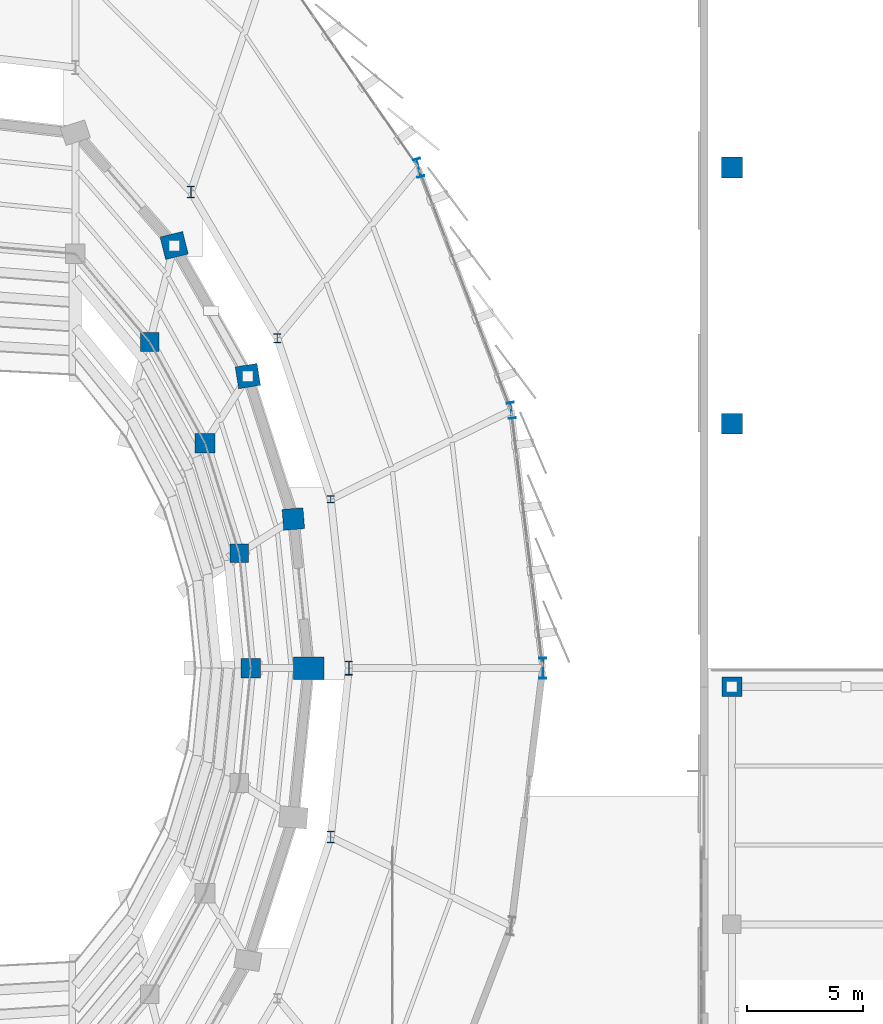
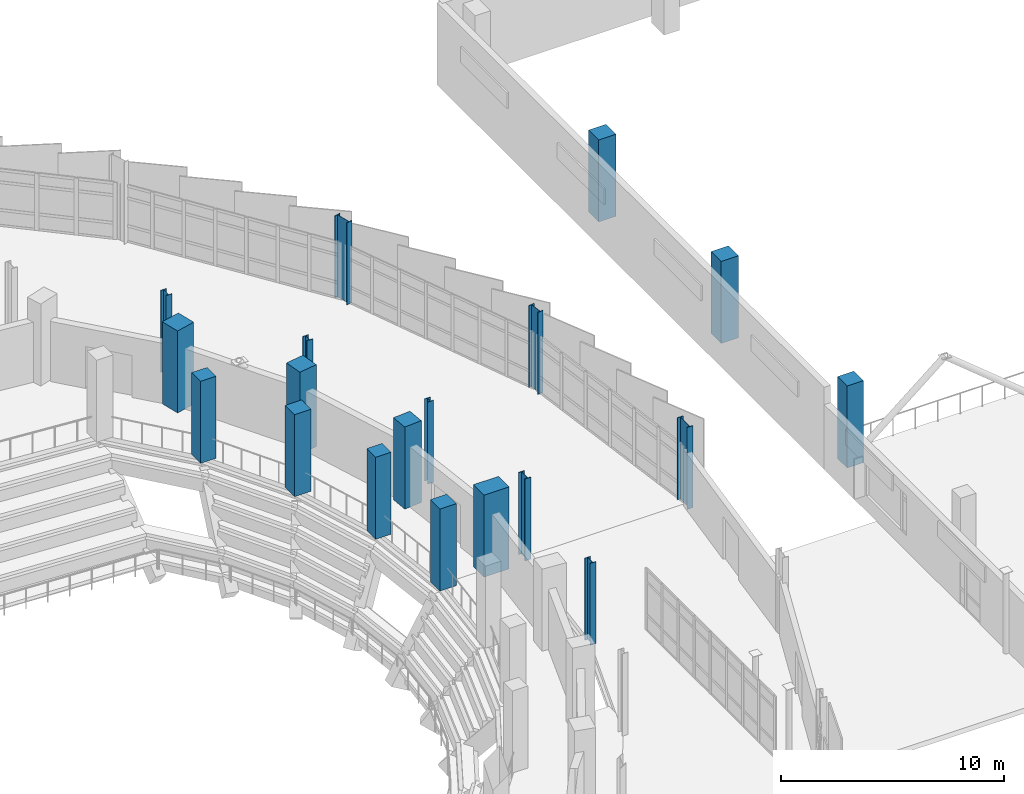
# One storey, part 21 of 134: 19 columns.
"""IFC4 building model written with IfcOpenShell, lengths in metres."""

from ifc_helpers import new_model, si_unit, direction, frame, origin, origin_2d, place, context, subcontext, project, spatial, rectangle, i_section, extrude, material, material_profile, profile_set, type_object, element, save


model = new_model("IFC4")

# Units and contexts
model_context = context("Model", 3, precision=1e-05, world=origin(), true_north=direction((0.0, 1.0)))
body_context = subcontext(model_context, "Body", "Model", "MODEL_VIEW")
ifc_project = project(units=[si_unit("LENGTHUNIT", "METRE"), si_unit("AREAUNIT", "SQUARE_METRE"), si_unit("VOLUMEUNIT", "CUBIC_METRE"), si_unit("PLANEANGLEUNIT", "RADIAN"), si_unit("MASSUNIT", "GRAM", prefix="KILO")], contexts=[model_context])

# Site, building, storey
site_placement = place(None, origin())
site = spatial("IfcSite", under=ifc_project, at=site_placement, CompositionType="ELEMENT")
building_placement = place(site_placement, origin())
building = spatial("IfcBuilding", under=site, at=building_placement, Name="Sohan Crest Arena", CompositionType="ELEMENT")
storey_placement = place(building_placement, frame((0.0, 0.0, 4.5)))
storey = spatial("IfcBuildingStorey", under=building, at=storey_placement, Name="L01", CompositionType="ELEMENT", Elevation=4.5)

# Columns
ifc_material_1 = material(Name="Concrete C40/50", Category="concrete")
ifc_material_profile_1 = material_profile(ifc_material_1, rectangle(XDim=0.800048828125, YDim=0.800048828125, at=origin_2d()), Name="RC 800x800")
ifc_profile_set_1 = profile_set([ifc_material_profile_1], Name="Concrete C40/50")
column_type_1 = type_object("IfcColumnType", Name="STR-COL-C05", PredefinedType="COLUMN", material=ifc_profile_set_1)
for number, where, z_axis, x_axis, name in (
    (1, (175.037109375, 82.929931640625, 0.0), (0.0, 0.0, 1.0), (1.0, 0.0, 0.0), "Structural column COL-V1M-25-L01"),
    (2, (171.194091796875, 92.011962890625, 0.0), (0.0, 0.0, 1.0), (1.0, 0.0, 0.0), "Structural column COL-V1M-27-L01"),
):
    element("IfcColumn", number, at=place(storey_placement, frame(where, z_axis=z_axis, x_axis=x_axis)), inside=storey, type_object=column_type_1, Name=name, PredefinedType="COLUMN", context=body_context, shape_type="SweptSolid", body=[
        extrude(rectangle(XDim=0.800048828125, YDim=0.800048828125, at=origin_2d()), origin(), (0.0, 0.0, 1.0), 4.5),
    ])
ifc_material_profile_2 = material_profile(ifc_material_1, rectangle(XDim=0.85009765625, YDim=0.85009765625, at=origin_2d()), Name="RC 850x850")
ifc_profile_set_2 = profile_set([ifc_material_profile_2], Name="Concrete C40/50")
column_type_2 = type_object("IfcColumnType", Name="STR-COL-C06", PredefinedType="COLUMN", material=ifc_profile_set_2)
for number, where, z_axis, x_axis, name in (
    (3, (175.531982421875, 78.0, 0.0), (0.0, 0.0, 1.0), (1.0, 0.0, 0.0), "Structural column COL-V1M-24-L01"),
    (4, (173.571044921875, 87.6640625, 0.0), (0.0, 0.0, 1.0), (1.0, 0.0, 0.0), "Structural column COL-V1M-26-L01"),
    (5, (196.199951171875, 77.199951171875, 0.0), (0.0, 0.0, 1.0), (1.0, 0.0, 0.0), "Structural column COL-V4S-14-L01"),
):
    element("IfcColumn", number, at=place(storey_placement, frame(where, z_axis=z_axis, x_axis=x_axis)), inside=storey, type_object=column_type_2, Name=name, PredefinedType="COLUMN", context=body_context, shape_type="SweptSolid", body=[
        extrude(rectangle(XDim=0.85009765625, YDim=0.85009765625, at=origin_2d()), origin(), (0.0, 0.0, 1.0), 4.5),
    ])
ifc_material_profile_3 = material_profile(ifc_material_1, rectangle(XDim=0.89990234375, YDim=0.89990234375, at=origin_2d()), Name="RC 900x900")
ifc_profile_set_3 = profile_set([ifc_material_profile_3], Name="Concrete C40/50")
column_type_3 = type_object("IfcColumnType", Name="STR-COL-C07", PredefinedType="COLUMN", material=ifc_profile_set_3)
for number, where, z_axis, x_axis, name in (
    (6, (177.363037109375, 84.406982421875, 0.0), (0.0, 0.0, 1.0), (0.996778878456, 0.080198924329, 0.0), "Structural column COL-V1R-25-L01"),
    (7, (196.199951171875, 88.5, 0.0), (0.0, 0.0, 1.0), (1.0, 0.0, 0.0), "Structural column COL-V4G-W1-L01"),
    (8, (196.199951171875, 99.5, 0.0), (0.0, 0.0, 1.0), (1.0, 0.0, 0.0), "Structural column COL-V4G-W2-L01"),
):
    element("IfcColumn", number, at=place(storey_placement, frame(where, z_axis=z_axis, x_axis=x_axis)), inside=storey, type_object=column_type_3, Name=name, PredefinedType="COLUMN", context=body_context, shape_type="SweptSolid", body=[
        extrude(rectangle(XDim=0.89990234375, YDim=0.89990234375, at=origin_2d()), origin(), (0.0, 0.0, 1.0), 4.5),
    ])
ifc_material_profile_4 = material_profile(ifc_material_1, rectangle(XDim=0.949951171875, YDim=0.949951171875, at=origin_2d()), Name="RC 950x950")
ifc_profile_set_4 = profile_set([ifc_material_profile_4], Name="Concrete C40/50")
column_type_4 = type_object("IfcColumnType", Name="STR-COL-C08", PredefinedType="COLUMN", material=ifc_profile_set_4)
column_1_placement = place(storey_placement, frame((175.408935546875, 90.544921875, 0.0), z_axis=(0.0, 0.0, 1.0), x_axis=(0.987136265073, 0.159881187692, 0.0)))
element("IfcColumn", 9, at=column_1_placement, inside=storey, type_object=column_type_4, Name="Structural column COL-V1R-26-L01", PredefinedType="COLUMN", context=body_context, shape_type="SweptSolid", body=[
    extrude(rectangle(XDim=0.949951171875, YDim=0.949951171875, at=origin_2d()), origin(), (0.0, 0.0, 1.0), 4.5),
])
ifc_material_profile_5 = material_profile(ifc_material_1, rectangle(XDim=1.0, YDim=1.0, at=origin_2d()), Name="RC 1000x1000")
ifc_profile_set_5 = profile_set([ifc_material_profile_5], Name="Concrete C40/50")
column_type_5 = type_object("IfcColumnType", Name="STR-COL-C09", PredefinedType="COLUMN", material=ifc_profile_set_5)
column_2_placement = place(storey_placement, frame((172.242919921875, 96.154052734375, 0.0), z_axis=(0.0, 0.0, 1.0), x_axis=(0.971549119998, 0.236838146066, 0.0)))
element("IfcColumn", 10, at=column_2_placement, inside=storey, type_object=column_type_5, Name="Structural column COL-V1R-27-L01", PredefinedType="COLUMN", context=body_context, shape_type="SweptSolid", body=[
    extrude(rectangle(XDim=1.0, YDim=1.0, at=origin_2d()), origin(), (0.0, 0.0, 1.0), 4.5),
])
ifc_material_profile_6 = material_profile(ifc_material_1, rectangle(XDim=1.300048828125, YDim=0.949951171875, at=origin_2d()), Name="RC 1300x950")
ifc_profile_set_6 = profile_set([ifc_material_profile_6], Name="Concrete C40/50")
column_type_6 = type_object("IfcColumnType", Name="STR-COL-C12", PredefinedType="COLUMN", material=ifc_profile_set_6)
column_3_placement = place(storey_placement, frame((178.02294921875, 78.0, 0.0), z_axis=(0.0, 0.0, 1.0), x_axis=(1.0, 0.0, 0.0)))
element("IfcColumn", 11, at=column_3_placement, inside=storey, type_object=column_type_6, Name="Structural column COL-V1R-24-L01", PredefinedType="COLUMN", context=body_context, shape_type="SweptSolid", body=[
    extrude(rectangle(XDim=1.300048828125, YDim=0.949951171875, at=origin_2d()), origin(), (0.0, 0.0, 1.0), 4.5),
])
ifc_material_2 = material(Name="Steel S355", Category="steel")
ifc_material_profile_7 = material_profile(ifc_material_2, i_section(OverallWidth=0.300048828125, OverallDepth=0.300048828125, WebThickness=0.010986328125, FlangeThickness=0.01904296875, at=origin_2d()), Name="HEB 300")
ifc_profile_set_7 = profile_set([ifc_material_profile_7], Name="Steel S355")
column_type_7 = type_object("IfcColumnType", Name="STR-COL-C17", PredefinedType="COLUMN", material=ifc_profile_set_7)
column_4_placement = place(storey_placement, frame((178.971923828125, 85.251953125, 0.0), z_axis=(0.0, 0.0, 1.0), x_axis=(1.0, 0.0, 0.0)))
element("IfcColumn", 12, at=column_4_placement, inside=storey, type_object=column_type_7, Name="Structural column COL-V2I-25-L01", PredefinedType="COLUMN", context=body_context, shape_type="SweptSolid", body=[
    extrude(i_section(OverallWidth=0.300048828125, OverallDepth=0.300048828125, WebThickness=0.010986328125, FlangeThickness=0.01904296875, at=origin_2d()), origin(), (0.0, 0.0, 1.0), 4.5),
])
ifc_material_profile_8 = material_profile(ifc_material_2, i_section(OverallWidth=0.300048828125, OverallDepth=0.39990234375, WebThickness=0.013427734375, FlangeThickness=0.02392578125, at=origin_2d()), Name="HEB 400")
ifc_profile_set_8 = profile_set([ifc_material_profile_8], Name="Steel S355")
column_type_8 = type_object("IfcColumnType", Name="STR-COL-C18", PredefinedType="COLUMN", material=ifc_profile_set_8)
column_5_placement = place(storey_placement, frame((176.674072265625, 92.175048828125, 0.0), z_axis=(0.0, 0.0, 1.0), x_axis=(1.0, 0.0, 0.0)))
element("IfcColumn", 13, at=column_5_placement, inside=storey, type_object=column_type_8, Name="Structural column COL-V2I-26-L01", PredefinedType="COLUMN", context=body_context, shape_type="SweptSolid", body=[
    extrude(i_section(OverallWidth=0.300048828125, OverallDepth=0.39990234375, WebThickness=0.013427734375, FlangeThickness=0.02392578125, at=origin_2d()), origin(), (0.0, 0.0, 1.0), 4.5),
])
ifc_material_profile_9 = material_profile(ifc_material_2, i_section(OverallWidth=0.300048828125, OverallDepth=0.5, WebThickness=0.014404296875, FlangeThickness=0.028076171875, at=origin_2d()), Name="HEB 500")
ifc_profile_set_9 = profile_set([ifc_material_profile_9], Name="Steel S355")
column_type_9 = type_object("IfcColumnType", Name="STR-COL-C19", PredefinedType="COLUMN", material=ifc_profile_set_9)
for number, where, z_axis, x_axis, name in (
    (14, (178.971923828125, 70.748046875, 0.0), (0.0, 0.0, 1.0), (1.0, 0.0, 0.0), "Structural column COL-V2I-23-L01"),
    (15, (172.9609375, 98.452880859375, 0.0), (0.0, 0.0, 1.0), (1.0, 0.0, 0.0), "Structural column COL-V2I-27-L01"),
):
    element("IfcColumn", number, at=place(storey_placement, frame(where, z_axis=z_axis, x_axis=x_axis)), inside=storey, type_object=column_type_9, Name=name, PredefinedType="COLUMN", context=body_context, shape_type="SweptSolid", body=[
        extrude(i_section(OverallWidth=0.300048828125, OverallDepth=0.5, WebThickness=0.014404296875, FlangeThickness=0.028076171875, at=origin_2d()), origin(), (0.0, 0.0, 1.0), 4.5),
    ])
ifc_material_profile_10 = material_profile(ifc_material_2, i_section(OverallWidth=0.300048828125, OverallDepth=0.60009765625, WebThickness=0.015380859375, FlangeThickness=0.030029296875, at=origin_2d()), Name="HEB 600")
ifc_profile_set_10 = profile_set([ifc_material_profile_10], Name="Steel S355")
column_type_10 = type_object("IfcColumnType", Name="STR-COL-C20", PredefinedType="COLUMN", material=ifc_profile_set_10)
column_6_placement = place(storey_placement, frame((179.75, 78.0, 0.0), z_axis=(0.0, 0.0, 1.0), x_axis=(1.0, 0.0, 0.0)))
element("IfcColumn", 16, at=column_6_placement, inside=storey, type_object=column_type_10, Name="Structural column COL-V2I-24-L01", PredefinedType="COLUMN", context=body_context, shape_type="SweptSolid", body=[
    extrude(i_section(OverallWidth=0.300048828125, OverallDepth=0.60009765625, WebThickness=0.015380859375, FlangeThickness=0.030029296875, at=origin_2d()), origin(), (0.0, 0.0, 1.0), 4.5),
])
ifc_material_profile_11 = material_profile(ifc_material_2, i_section(OverallWidth=0.300048828125, OverallDepth=0.699951171875, WebThickness=0.01708984375, FlangeThickness=0.031982421875, at=origin_2d()), Name="HEB 700")
ifc_profile_set_11 = profile_set([ifc_material_profile_11], Name="Steel S355")
column_type_11 = type_object("IfcColumnType", Name="STR-COL-C21", PredefinedType="COLUMN", material=ifc_profile_set_11)
column_7_placement = place(storey_placement, frame((186.72509765625, 89.070068359375, 0.0), z_axis=(0.0, 0.0, 1.0), x_axis=(0.992331937885, 0.12360147674, 0.0)))
element("IfcColumn", 17, at=column_7_placement, inside=storey, type_object=column_type_11, Name="Structural column COL-V2O-25-L01", PredefinedType="COLUMN", context=body_context, shape_type="SweptSolid", body=[
    extrude(i_section(OverallWidth=0.300048828125, OverallDepth=0.699951171875, WebThickness=0.01708984375, FlangeThickness=0.031982421875, at=origin_2d()), origin(), (0.0, 0.0, 1.0), 4.5),
])
ifc_material_profile_12 = material_profile(ifc_material_2, i_section(OverallWidth=0.300048828125, OverallDepth=0.800048828125, WebThickness=0.017578125, FlangeThickness=0.032958984375, at=origin_2d()), Name="HEB 800")
ifc_profile_set_12 = profile_set([ifc_material_profile_12], Name="Steel S355")
column_type_12 = type_object("IfcColumnType", Name="STR-COL-C22", PredefinedType="COLUMN", material=ifc_profile_set_12)
column_8_placement = place(storey_placement, frame((182.7490234375, 99.489013671875, 0.0), z_axis=(0.0, 0.0, 1.0), x_axis=(0.969445349895, 0.245307385879, 0.0)))
element("IfcColumn", 18, at=column_8_placement, inside=storey, type_object=column_type_12, Name="Structural column COL-V2O-26-L01", PredefinedType="COLUMN", context=body_context, shape_type="SweptSolid", body=[
    extrude(i_section(OverallWidth=0.300048828125, OverallDepth=0.800048828125, WebThickness=0.017578125, FlangeThickness=0.032958984375, at=origin_2d()), origin(), (0.0, 0.0, 1.0), 4.5),
])
ifc_material_profile_13 = material_profile(ifc_material_2, i_section(OverallWidth=0.300048828125, OverallDepth=0.89990234375, WebThickness=0.0185546875, FlangeThickness=0.034912109375, at=origin_2d()), Name="HEB 900")
ifc_profile_set_13 = profile_set([ifc_material_profile_13], Name="Steel S355")
column_type_13 = type_object("IfcColumnType", Name="STR-COL-C23", PredefinedType="COLUMN", material=ifc_profile_set_13)
column_9_placement = place(storey_placement, frame((188.076904296875, 78.0, 0.0), z_axis=(0.0, 0.0, 1.0), x_axis=(1.0, 0.0, 0.0)))
element("IfcColumn", 19, at=column_9_placement, inside=storey, type_object=column_type_13, Name="Structural column COL-V2O-24-L01", PredefinedType="COLUMN", context=body_context, shape_type="SweptSolid", body=[
    extrude(i_section(OverallWidth=0.300048828125, OverallDepth=0.89990234375, WebThickness=0.0185546875, FlangeThickness=0.034912109375, at=origin_2d()), origin(), (0.0, 0.0, 1.0), 4.5),
])

save(model, "model.ifc")
